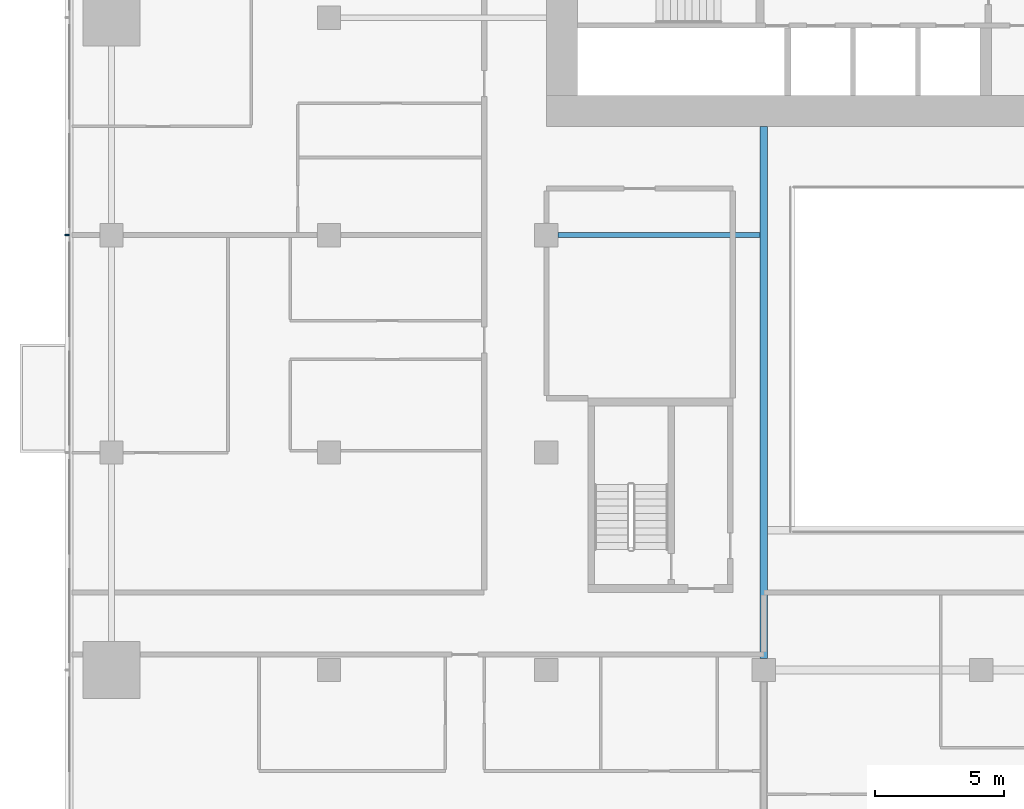
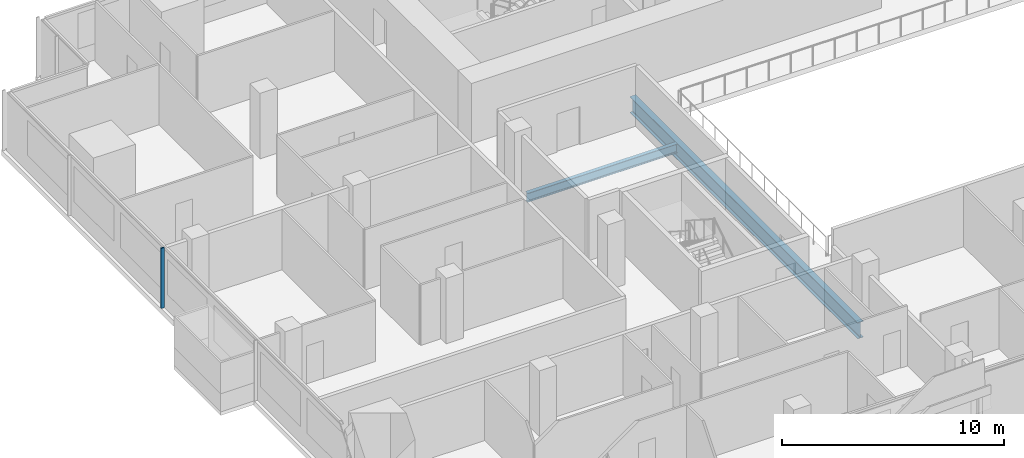
# One storey, part 4 of 29: 2 beams, 1 member, 1 element without a shape of its own.
"""IFC4 building model written with IfcOpenShell, lengths in metres."""

from ifc_helpers import new_model, si_unit, direction, frame, origin, origin_2d, place, context, subcontext, project, spatial, rectangle, i_section, extrude, material, material_profile, profile_set, type_object, element, aggregate, save


model = new_model("IFC4")

# Units and contexts
model_context = context("Model", 3, precision=1e-05, world=origin(), true_north=direction((0.0, 1.0)))
body_context = subcontext(model_context, "Body", "Model", "MODEL_VIEW")
ifc_project = project(units=[si_unit("LENGTHUNIT", "METRE"), si_unit("AREAUNIT", "SQUARE_METRE"), si_unit("VOLUMEUNIT", "CUBIC_METRE"), si_unit("PLANEANGLEUNIT", "RADIAN"), si_unit("MASSUNIT", "GRAM", prefix="KILO")], contexts=[model_context])

# Site, building, storey
site_placement = place(None, origin())
site = spatial("IfcSite", under=ifc_project, at=site_placement, CompositionType="ELEMENT")
building_placement = place(site_placement, origin())
building = spatial("IfcBuilding", under=site, at=building_placement, Name="Saffron Gate Tower", CompositionType="ELEMENT")
storey_placement = place(building_placement, frame((0.0, 0.0, 58.800048828125)))
storey = spatial("IfcBuildingStorey", under=building, at=storey_placement, Name="L13", CompositionType="ELEMENT", Elevation=58.800048828125)

# Beams
ifc_material_1 = material(Name="Structural steel S355", Category="steel")
ifc_material_profile_1 = material_profile(ifc_material_1, i_section(OverallWidth=0.199951171875, OverallDepth=0.5, WebThickness=0.01025390625, FlangeThickness=0.01611328125, FilletRadius=0.02099609375, at=origin_2d()))
ifc_profile_set_1 = profile_set([ifc_material_profile_1], Name="Structural steel S355")
beam_type_1 = type_object("IfcBeamType", Name="B10 IPE 500", PredefinedType="BEAM", material=ifc_profile_set_1)
beam_1_placement = place(storey_placement, frame((67.050048828125, 57.0, -0.530029296875), z_axis=(1.0, 0.0, 0.0), x_axis=(0.0, 1.0, 0.0)))
element("IfcBeam", 1, at=beam_1_placement, inside=storey, type_object=beam_type_1, Name="B10 CORE TIE BEAM", PredefinedType="BEAM", context=body_context, shape_type="SweptSolid", body=[
    extrude(i_section(OverallWidth=0.199951171875, OverallDepth=0.5, WebThickness=0.01025390625, FlangeThickness=0.01611328125, FilletRadius=0.02099609375, at=origin_2d()), origin(), (0.0, 0.0, 1.0), 7.800048828125),
])
ifc_material_profile_2 = material_profile(ifc_material_1, i_section(OverallWidth=0.300048828125, OverallDepth=0.889892578125, WebThickness=0.01611328125, FlangeThickness=0.030029296875, FilletRadius=0.030029296875, at=origin_2d()))
ifc_profile_set_2 = profile_set([ifc_material_profile_2], Name="Structural steel S355")
beam_type_2 = type_object("IfcBeamType", Name="B19 HEA 900", PredefinedType="BEAM", material=ifc_profile_set_2)
beam_2_placement = place(storey_placement, frame((75.0, 40.64990234375, -0.72509765625), z_axis=(0.0, 1.0, 0.0), x_axis=(-1.0, 0.0, 0.0)))
element("IfcBeam", 2, at=beam_2_placement, inside=storey, type_object=beam_type_2, Name="B19 ATRIUM GIRDER", PredefinedType="BEAM", context=body_context, shape_type="SweptSolid", body=[
    extrude(i_section(OverallWidth=0.300048828125, OverallDepth=0.889892578125, WebThickness=0.01611328125, FlangeThickness=0.030029296875, FilletRadius=0.030029296875, at=origin_2d()), origin(), (0.0, 0.0, 1.0), 20.550048828125),
])

# Curtain wall, member
ifc_material_2 = material(Name="Aluminium, bronze anodised", Category="aluminium")
curtain_wall_type = type_object("IfcCurtainWallType", Name="CWS2 curtain wall side facades", PredefinedType="NOTDEFINED", material=ifc_material_2)
curtain_wall_placement = place(storey_placement, origin())
curtain_wall = element("IfcCurtainWall", 3, at=curtain_wall_placement, inside=storey, type_object=curtain_wall_type, Name="CWS2 run 10", PredefinedType="NOTDEFINED")
ifc_material_profile_3 = material_profile(ifc_material_2, rectangle(XDim=0.159912109375, YDim=0.06005859375, at=origin_2d()))
ifc_profile_set_3 = profile_set([ifc_material_profile_3], Name="Aluminium, bronze anodised")
member_type = type_object("IfcMemberType", Name="CWS2 mullion 60x160", PredefinedType="MULLION", material=ifc_profile_set_3)
member_placement = place(storey_placement, frame((48.080078125, 57.0, 0.0), z_axis=(0.0, 0.0, 1.0), x_axis=(1.0, 0.0, 0.0)))
member = element("IfcMember", 4, at=member_placement, type_object=member_type, Name="CWS2 mullion 3", PredefinedType="MULLION", context=body_context, shape_type="SweptSolid", body=[
    extrude(rectangle(XDim=0.159912109375, YDim=0.06005859375, at=origin_2d()), origin(), (0.0, 0.0, 1.0), 3.320068359375),
])
aggregate(curtain_wall, [member])

save(model, "model.ifc")
